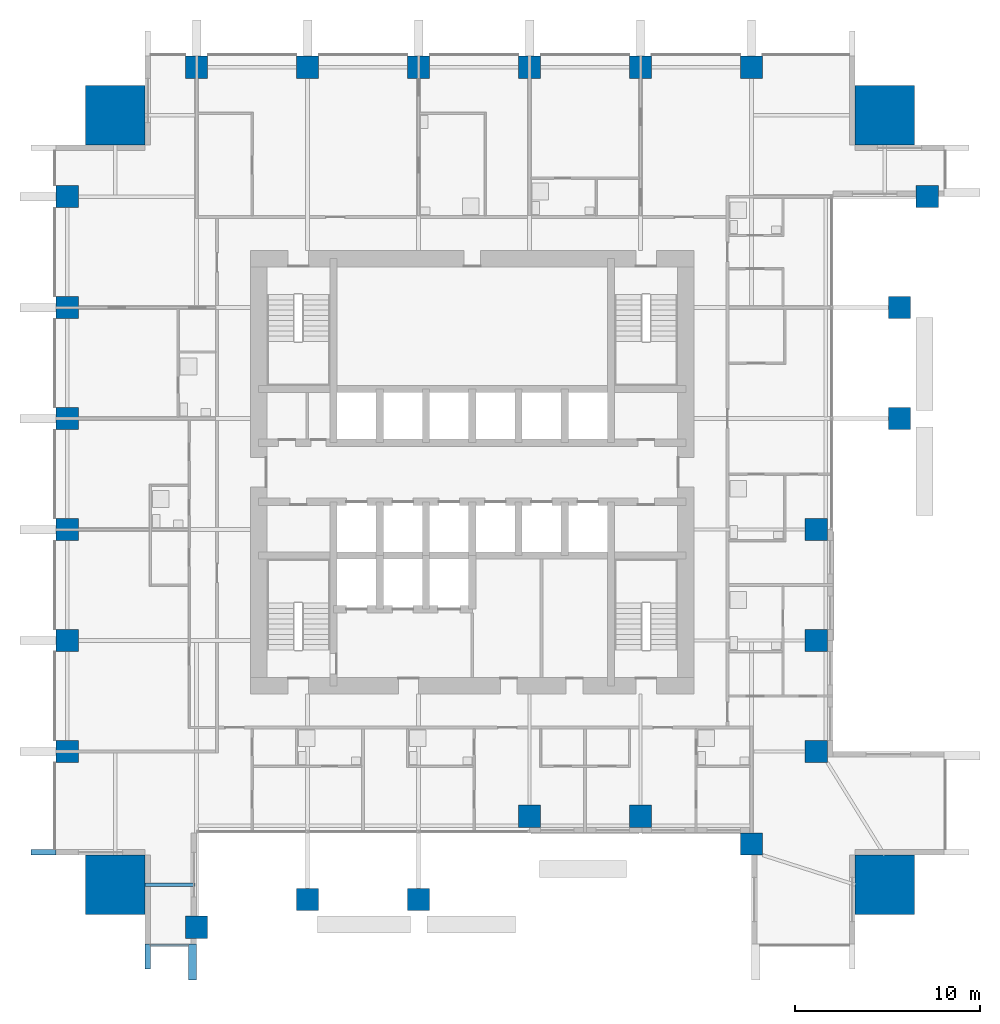
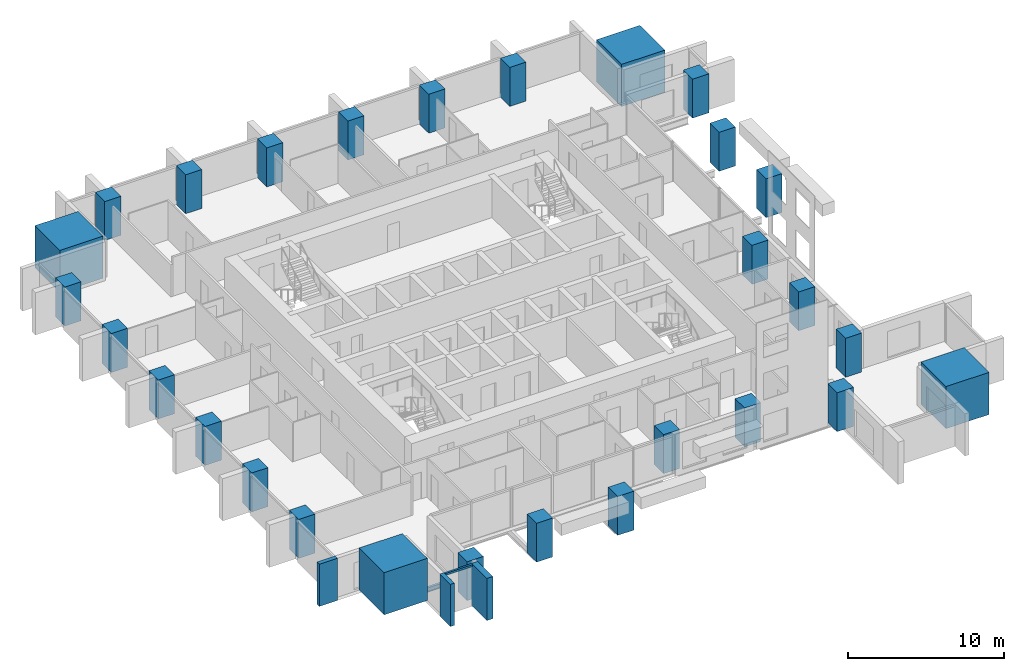
# One storey, part 1 of 13: 28 columns, 4 members, 1 beam, 2 elements without a shape of their own.
"""IFC4 building model written with IfcOpenShell, lengths in metres."""

from ifc_helpers import new_model, si_unit, direction, frame, origin, origin_2d, place, context, subcontext, project, spatial, rectangle, i_section, extrude, material, material_profile, profile_set, type_object, element, aggregate, save


model = new_model("IFC4")

# Units and contexts
model_context = context("Model", 3, precision=1e-05, world=origin(), true_north=direction((0.0, 1.0)))
body_context = subcontext(model_context, "Body", "Model", "MODEL_VIEW")
ifc_project = project(units=[si_unit("LENGTHUNIT", "METRE"), si_unit("AREAUNIT", "SQUARE_METRE"), si_unit("VOLUMEUNIT", "CUBIC_METRE"), si_unit("PLANEANGLEUNIT", "RADIAN"), si_unit("MASSUNIT", "GRAM", prefix="KILO")], contexts=[model_context])

# Site, building, storey
site_placement = place(None, origin())
site = spatial("IfcSite", under=ifc_project, at=site_placement, CompositionType="ELEMENT")
building_placement = place(site_placement, origin())
building = spatial("IfcBuilding", under=site, at=building_placement, Name="Amberfall Residences", CompositionType="ELEMENT")
storey_placement = place(building_placement, frame((0.0, 0.0, 56.5)))
storey = spatial("IfcBuildingStorey", under=building, at=storey_placement, Name="L15", CompositionType="ELEMENT", Elevation=56.5)

# Columns
ifc_material_1 = material(Name="Concrete C80", Category="concrete")
ifc_material_profile_1 = material_profile(ifc_material_1, rectangle(XDim=1.199951171875, YDim=1.199951171875, at=origin_2d()), Name="Column 1200 x 1200 C80")
ifc_profile_set_1 = profile_set([ifc_material_profile_1], Name="Concrete C80")
column_type_1 = type_object("IfcColumnType", Name="Column 1200 x 1200 C80", PredefinedType="COLUMN", material=ifc_profile_set_1)
for number, where, z_axis, x_axis, name in (
    (1, (59.60009765625, 20.89990234375, 0.0), (0.0, 0.0, 1.0), (1.0, 0.0, 0.0), "Column C1 L15 S1"),
    (2, (65.60009765625, 22.39990234375, 0.0), (0.0, 0.0, 1.0), (1.0, 0.0, 0.0), "Column C1 L15 S2"),
    (3, (71.60009765625, 22.39990234375, 0.0), (0.0, 0.0, 1.0), (1.0, 0.0, 0.0), "Column C1 L15 S3"),
    (4, (77.60009765625, 26.89990234375, 0.0), (0.0, 0.0, 1.0), (1.0, 0.0, 0.0), "Column C1 L15 S4"),
    (5, (83.60009765625, 26.89990234375, 0.0), (0.0, 0.0, 1.0), (1.0, 0.0, 0.0), "Column C1 L15 S5"),
    (6, (89.60009765625, 25.39990234375, 0.0), (0.0, 0.0, 1.0), (1.0, 0.0, 0.0), "Column C1 L15 S6"),
    (7, (93.10009765625, 30.39990234375, 0.0), (0.0, 0.0, 1.0), (1.0, 0.0, 0.0), "Column C1 L15 E1"),
    (8, (93.10009765625, 36.39990234375, 0.0), (0.0, 0.0, 1.0), (1.0, 0.0, 0.0), "Column C1 L15 E2"),
    (9, (93.10009765625, 42.39990234375, 0.0), (0.0, 0.0, 1.0), (1.0, 0.0, 0.0), "Column C1 L15 E3"),
    (10, (97.60009765625, 48.39990234375, 0.0), (0.0, 0.0, 1.0), (1.0, 0.0, 0.0), "Column C1 L15 E4"),
    (11, (97.60009765625, 54.39990234375, 0.0), (0.0, 0.0, 1.0), (1.0, 0.0, 0.0), "Column C1 L15 E5"),
    (12, (99.10009765625, 60.39990234375, 0.0), (0.0, 0.0, 1.0), (1.0, 0.0, 0.0), "Column C1 L15 E6"),
    (13, (59.60009765625, 67.39990234375, 0.0), (0.0, 0.0, 1.0), (1.0, 0.0, 0.0), "Column C1 L15 N1"),
    (14, (65.60009765625, 67.39990234375, 0.0), (0.0, 0.0, 1.0), (1.0, 0.0, 0.0), "Column C1 L15 N2"),
    (15, (71.60009765625, 67.39990234375, 0.0), (0.0, 0.0, 1.0), (1.0, 0.0, 0.0), "Column C1 L15 N3"),
    (16, (77.60009765625, 67.39990234375, 0.0), (0.0, 0.0, 1.0), (1.0, 0.0, 0.0), "Column C1 L15 N4"),
    (17, (83.60009765625, 67.39990234375, 0.0), (0.0, 0.0, 1.0), (1.0, 0.0, 0.0), "Column C1 L15 N5"),
    (18, (89.60009765625, 67.39990234375, 0.0), (0.0, 0.0, 1.0), (1.0, 0.0, 0.0), "Column C1 L15 N6"),
    (19, (52.60009765625, 30.39990234375, 0.0), (0.0, 0.0, 1.0), (1.0, 0.0, 0.0), "Column C1 L15 W1"),
    (20, (52.60009765625, 36.39990234375, 0.0), (0.0, 0.0, 1.0), (1.0, 0.0, 0.0), "Column C1 L15 W2"),
    (21, (52.60009765625, 42.39990234375, 0.0), (0.0, 0.0, 1.0), (1.0, 0.0, 0.0), "Column C1 L15 W3"),
    (22, (52.60009765625, 48.39990234375, 0.0), (0.0, 0.0, 1.0), (1.0, 0.0, 0.0), "Column C1 L15 W4"),
    (23, (52.60009765625, 54.39990234375, 0.0), (0.0, 0.0, 1.0), (1.0, 0.0, 0.0), "Column C1 L15 W5"),
    (24, (52.60009765625, 60.39990234375, 0.0), (0.0, 0.0, 1.0), (1.0, 0.0, 0.0), "Column C1 L15 W6"),
):
    element("IfcColumn", number, at=place(storey_placement, frame(where, z_axis=z_axis, x_axis=x_axis)), inside=storey, type_object=column_type_1, Name=name, PredefinedType="COLUMN", context=body_context, shape_type="SweptSolid", body=[
        extrude(rectangle(XDim=1.199951171875, YDim=1.199951171875, at=origin_2d()), origin(), (0.0, 0.0, 1.0), 3.050048828125),
    ])
ifc_material_profile_2 = material_profile(ifc_material_1, rectangle(XDim=3.199951171875, YDim=3.199951171875, at=origin_2d()), Name="Mega column 3200 x 3200 C80")
ifc_profile_set_2 = profile_set([ifc_material_profile_2], Name="Concrete C80")
column_type_2 = type_object("IfcColumnType", Name="Mega column 3200 x 3200 C80", PredefinedType="COLUMN", material=ifc_profile_set_2)
for number, where, z_axis, x_axis, name in (
    (25, (55.199951171875, 23.199951171875, 0.0), (0.0, 0.0, 1.0), (1.0, 0.0, 0.0), "Mega column MC1 L15 SW"),
    (26, (96.800048828125, 23.199951171875, 0.0), (0.0, 0.0, 1.0), (1.0, 0.0, 0.0), "Mega column MC1 L15 SE"),
    (27, (96.800048828125, 64.800048828125, 0.0), (0.0, 0.0, 1.0), (1.0, 0.0, 0.0), "Mega column MC1 L15 NE"),
    (28, (55.199951171875, 64.800048828125, 0.0), (0.0, 0.0, 1.0), (1.0, 0.0, 0.0), "Mega column MC1 L15 NW"),
):
    element("IfcColumn", number, at=place(storey_placement, frame(where, z_axis=z_axis, x_axis=x_axis)), inside=storey, type_object=column_type_2, Name=name, PredefinedType="COLUMN", context=body_context, shape_type="SweptSolid", body=[
        extrude(rectangle(XDim=3.199951171875, YDim=3.199951171875, at=origin_2d()), origin(), (0.0, 0.0, 1.0), 3.300048828125),
    ])

# Curtain wall, members
ifc_material_2 = material(Name="Bronze anodised aluminium and glass", Category="aluminium")
curtain_wall_type = type_object("IfcCurtainWallType", Name="Curtain wall CW1 tower unit", PredefinedType="USERDEFINED", material=ifc_material_2)
curtain_wall_1_placement = place(storey_placement, origin())
curtain_wall_1 = element("IfcCurtainWall", 29, at=curtain_wall_1_placement, inside=storey, type_object=curtain_wall_type, Name="Curtain wall L15 S S1", ObjectType="UNITISED CURTAIN WALL", PredefinedType="USERDEFINED")
ifc_material_3 = material(Name="Bronze anodised aluminium", Category="aluminium")
ifc_material_profile_3 = material_profile(ifc_material_3, rectangle(XDim=0.14990234375, YDim=0.14990234375, at=origin_2d()), Name="CW1 transom 150 x 150 bronze")
ifc_profile_set_3 = profile_set([ifc_material_profile_3], Name="Bronze anodised aluminium")
member_type_1 = type_object("IfcMemberType", Name="CW1 transom 150 x 150 bronze", PredefinedType="USERDEFINED", material=ifc_profile_set_3)
member_1_placement = place(storey_placement, frame((57.10009765625, 19.925048828125, 2.97509765625), z_axis=(1.0, 0.0, 0.0), x_axis=(0.0, 1.0, 0.0)))
member_1 = element("IfcMember", 30, at=member_1_placement, type_object=member_type_1, Name="CW1 transom 1.1", ObjectType="TRANSOM", PredefinedType="USERDEFINED", context=body_context, shape_type="SweptSolid", body=[
    extrude(rectangle(XDim=0.14990234375, YDim=0.14990234375, at=origin_2d()), origin(), (0.0, 0.0, 1.0), 2.0498046875),
])
ifc_material_profile_4 = material_profile(ifc_material_3, rectangle(XDim=1.35009765625, YDim=0.300048828125, at=origin_2d()), Name="Corner fin 300 x 1350 bronze")
ifc_profile_set_4 = profile_set([ifc_material_profile_4], Name="Bronze anodised aluminium")
member_type_2 = type_object("IfcMemberType", Name="Corner fin 300 x 1350 bronze", PredefinedType="MULLION", material=ifc_profile_set_4)
member_2_placement = place(storey_placement, frame((56.949951171875, 19.324951171875, -0.25), z_axis=(0.0, 0.0, 1.0), x_axis=(0.0, 1.0, 0.0)))
member_2 = element("IfcMember", 31, at=member_2_placement, type_object=member_type_2, Name="CW FIN 1", PredefinedType="MULLION", context=body_context, shape_type="SweptSolid", body=[
    extrude(rectangle(XDim=1.35009765625, YDim=0.300048828125, at=origin_2d()), origin(), (0.0, 0.0, 1.0), 3.300048828125),
])

# Curtain wall, member
curtain_wall_2_placement = place(storey_placement, origin())
curtain_wall_2 = element("IfcCurtainWall", 32, at=curtain_wall_2_placement, inside=storey, type_object=curtain_wall_type, Name="Curtain wall L15 W W1", ObjectType="UNITISED CURTAIN WALL", PredefinedType="USERDEFINED")
member_3_placement = place(storey_placement, frame((51.324951171875, 24.949951171875, -0.25), z_axis=(0.0, 0.0, 1.0), x_axis=(1.0, 0.0, 0.0)))
member_3 = element("IfcMember", 33, at=member_3_placement, type_object=member_type_2, Name="CW FIN 8", PredefinedType="MULLION", context=body_context, shape_type="SweptSolid", body=[
    extrude(rectangle(XDim=1.35009765625, YDim=0.300048828125, at=origin_2d()), origin(), (0.0, 0.0, 1.0), 3.300048828125),
])
aggregate(curtain_wall_2, [member_3])

# Member
ifc_material_profile_5 = material_profile(ifc_material_3, rectangle(XDim=1.949951171875, YDim=0.449951171875, at=origin_2d()), Name="Fin 450 x 1950 bronze")
ifc_profile_set_5 = profile_set([ifc_material_profile_5], Name="Bronze anodised aluminium")
member_type_3 = type_object("IfcMemberType", Name="Fin 450 x 1950 bronze", PredefinedType="MULLION", material=ifc_profile_set_5)
member_4_placement = place(storey_placement, frame((59.375, 19.02490234375, -0.25), z_axis=(0.0, 0.0, 1.0), x_axis=(0.0, 1.0, 0.0)))
member_4 = element("IfcMember", 34, at=member_4_placement, type_object=member_type_3, Name="CW FIN 2", PredefinedType="MULLION", context=body_context, shape_type="SweptSolid", body=[
    extrude(rectangle(XDim=1.949951171875, YDim=0.449951171875, at=origin_2d()), origin(), (0.0, 0.0, 1.0), 3.300048828125),
])

aggregate(curtain_wall_1, [member_2, member_4, member_1])

# Beam
ifc_material_4 = material(Name="Steel S355", Category="steel")
ifc_material_profile_6 = material_profile(ifc_material_4, i_section(OverallWidth=0.171142578125, OverallDepth=0.351318359375, WebThickness=0.007080078125, FlangeThickness=0.009765625, FilletRadius=0.01025390625, at=origin_2d()), Name="UB 356x171x45")
ifc_profile_set_6 = profile_set([ifc_material_profile_6], Name="Steel S355")
beam_type = type_object("IfcBeamType", Name="Link beam UB 356x171x45", PredefinedType="BEAM", material=ifc_profile_set_6)
beam_placement = place(storey_placement, frame((56.800048828125, 23.199951171875, -0.42578125), z_axis=(1.0, 0.0, 0.0), x_axis=(0.0, 1.0, 0.0)))
element("IfcBeam", 35, at=beam_placement, inside=storey, type_object=beam_type, Name="Link beam B7 L15 45", PredefinedType="BEAM", context=body_context, shape_type="SweptSolid", body=[
    extrude(i_section(OverallWidth=0.171142578125, OverallDepth=0.351318359375, WebThickness=0.007080078125, FlangeThickness=0.009765625, FilletRadius=0.01025390625, at=origin_2d()), origin(), (0.0, 0.0, 1.0), 2.70458984375),
])

save(model, "model.ifc")
